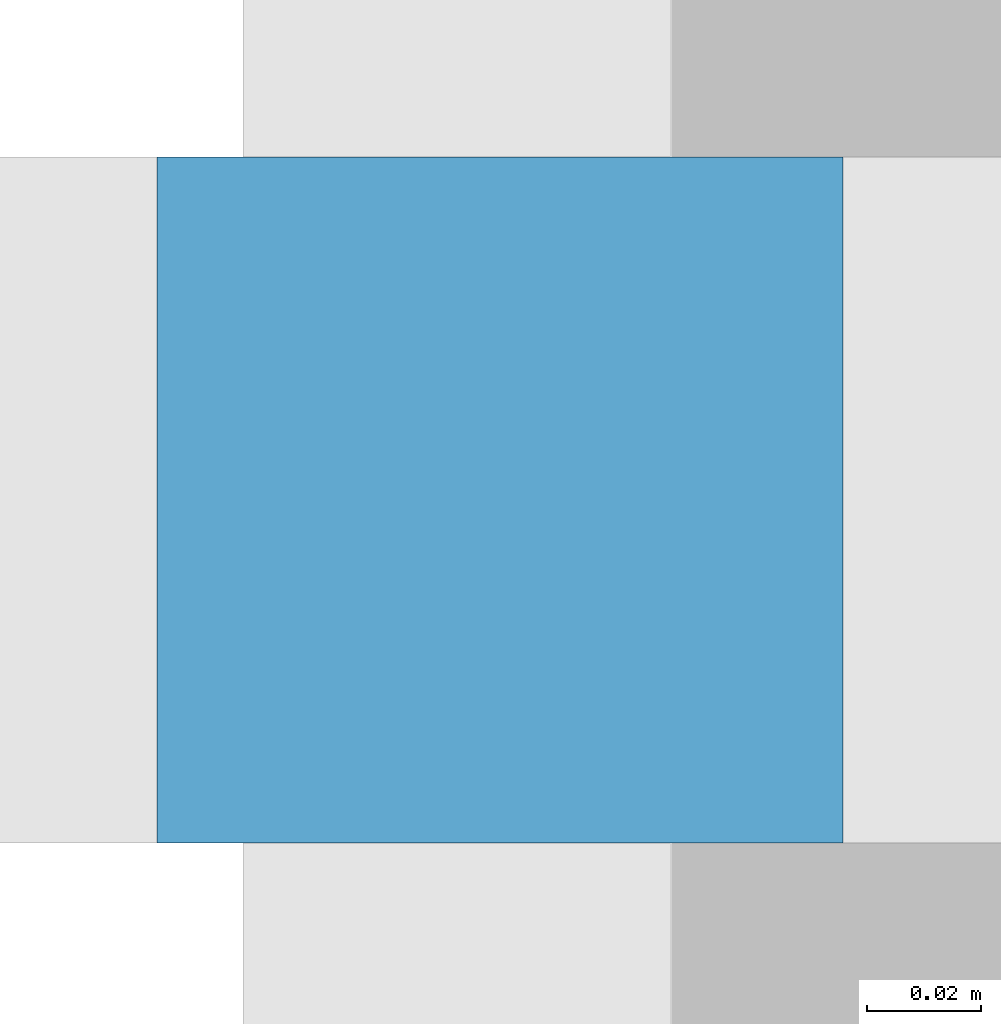
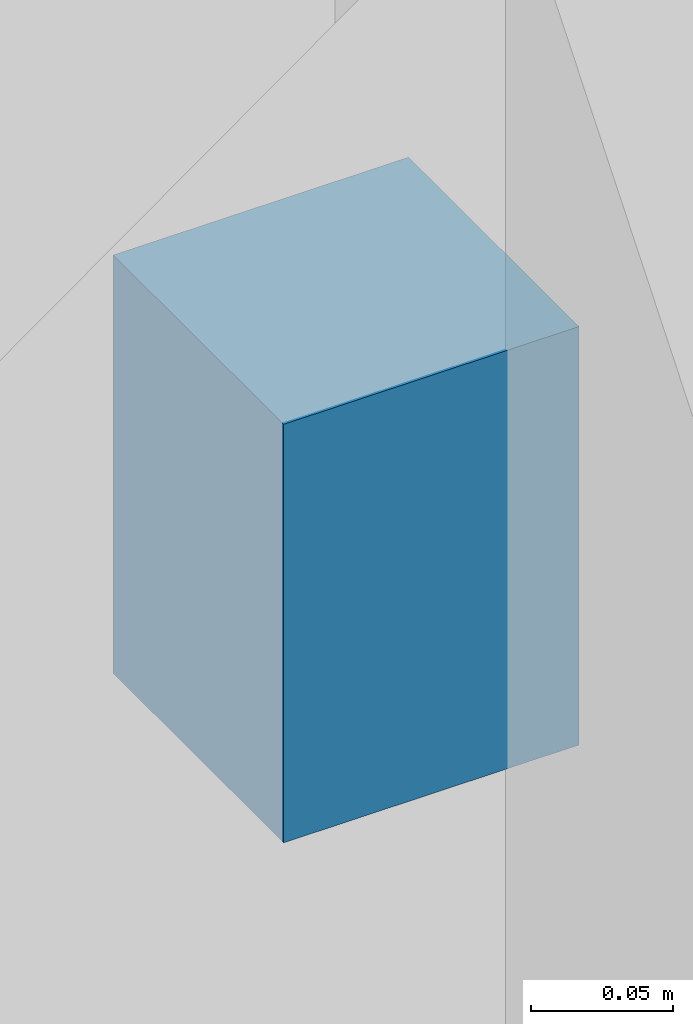
# One storey, part 41 of 54: 1 discrete accessory.
"""IFC4 building model written with IfcOpenShell, lengths in metres."""

import ifcopenshell
import ifcopenshell.guid

model = None  # the IFC model being written
_history = None  # IfcOwnerHistory: only IFC2X3 demands one
_inside = {}  # id of a spatial element -> (the spatial element, [elements in it])
_under = {}  # id of a project, library or spatial element -> (it, [spatial elements below it])
_declared = {}  # id of a project -> (the project, [libraries it declares])
_typed = {}  # id of a type object -> (the type object, [elements of that type])
_made_of = {}  # id of a material, layer set ... -> (it, [elements and type objects made of it])


def new_model(schema):
    """Start an empty IFC model of exactly this schema.

    Asked for "IFC4X3", IfcOpenShell would pick the latest addendum, in which some entities
    have other attributes; the version numbers below select the first issue.
    IFC2X3 requires an IfcOwnerHistory on every rooted entity: one is made here for all.
    """
    global model, _history
    if schema == "IFC4X3":
        model = ifcopenshell.file(schema_version=(4, 3, 0, 0))
    else:
        model = ifcopenshell.file(schema=schema)
    _inside.clear()
    _under.clear()
    _declared.clear()
    _typed.clear()
    _made_of.clear()
    _history = None
    if model.schema == "IFC2X3":
        org = make("IfcOrganization", Name="unknown")
        user = make(
            "IfcPersonAndOrganization",
            ThePerson=make("IfcPerson", FamilyName="unknown"),
            TheOrganization=org,
        )
        app = make(
            "IfcApplication",
            ApplicationDeveloper=org,
            Version="unknown",
            ApplicationFullName="unknown",
            ApplicationIdentifier="unknown",
        )
        _history = make(
            "IfcOwnerHistory",
            OwningUser=user,
            OwningApplication=app,
            ChangeAction="ADDED",
            CreationDate=0,
        )
    return model


def make(cls, **values):
    """One entity of the class cls with the attributes given. An attribute that is None is left unset."""
    return model.create_entity(
        cls, **{name: value for name, value in values.items() if value is not None}
    )


def rooted(cls, **values):
    """An entity with a GlobalId (a new one), such as an element, a storey or a relation."""
    return make(cls, GlobalId=ifcopenshell.guid.new(), OwnerHistory=_history, **values)


def si_unit(unit_type, name, prefix=None):
    """IfcSIUnit, for example si_unit("LENGTHUNIT", "METRE", prefix="MILLI")."""
    return make("IfcSIUnit", UnitType=unit_type, Prefix=prefix, Name=name)


def assignment(units):
    """IfcUnitAssignment: the units of a project."""
    return None if units is None else make("IfcUnitAssignment", Units=units)


def point(xyz):
    """IfcCartesianPoint."""
    return None if xyz is None else make("IfcCartesianPoint", Coordinates=xyz)


def direction(xyz):
    """IfcDirection."""
    return None if xyz is None else make("IfcDirection", DirectionRatios=xyz)


def frame(location, z_axis=None, x_axis=None):
    """IfcAxis2Placement3D, a coordinate frame: its origin and axes. An axis left out is left unset."""
    return make(
        "IfcAxis2Placement3D",
        Location=point(location),
        Axis=direction(z_axis),
        RefDirection=direction(x_axis),
    )


def frame_2d(location, x_axis=None):
    """IfcAxis2Placement2D, a coordinate frame in the plane: its origin and x axis."""
    return make(
        "IfcAxis2Placement2D", Location=point(location), RefDirection=direction(x_axis)
    )


def origin():
    """The frame at (0, 0, 0) with its axes left unset."""
    return frame((0.0, 0.0, 0.0))


def origin_2d():
    """The frame at (0, 0) in the plane with its x axis left unset."""
    return frame_2d((0.0, 0.0))


def place(relative_to, where):
    """IfcLocalPlacement: puts the frame where relative to a parent placement (None: the world)."""
    return make(
        "IfcLocalPlacement", PlacementRelTo=relative_to, RelativePlacement=where
    )


def context(
    kind, dimensions, precision=None, world=None, true_north=None, identifier=None
):
    """IfcGeometricRepresentationContext, for example the 3D "Model" context."""
    return make(
        "IfcGeometricRepresentationContext",
        ContextIdentifier=identifier,
        ContextType=kind,
        CoordinateSpaceDimension=dimensions,
        Precision=precision,
        WorldCoordinateSystem=world,
        TrueNorth=true_north,
    )


def subcontext(parent, identifier, kind, view, scale=None):
    """IfcGeometricRepresentationSubContext, for example "Body" below "Model"."""
    return make(
        "IfcGeometricRepresentationSubContext",
        ContextIdentifier=identifier,
        ContextType=kind,
        ParentContext=parent,
        TargetScale=scale,
        TargetView=view,
    )


def project(units=None, contexts=None):
    """IfcProject with its units and contexts."""
    return rooted(
        "IfcProject",
        Name="project",
        RepresentationContexts=contexts,
        UnitsInContext=assignment(units),
    )


def spatial(cls, under=None, at=None, **own):
    """A site, building, storey or space (cls), placed at a placement, below another one or the project."""
    s = rooted(cls, ObjectPlacement=at, **own)
    if under is not None:
        _under.setdefault(under.id(), (under, []))[1].append(s)
    return s


def profile(cls, at=None, kind="AREA", **sizes):
    """A parametric profile (cls). Its sizes go by their IFC names, for example OverallWidth=200.0."""
    return make(cls, ProfileType=kind, Position=at, **sizes)


def rectangle(**sizes):
    """IfcRectangleProfileDef."""
    return profile("IfcRectangleProfileDef", **sizes)


def extrude(swept, where, along, depth):
    """IfcExtrudedAreaSolid: the profile swept, set in the frame where, extruded along a direction by depth."""
    return make(
        "IfcExtrudedAreaSolid",
        SweptArea=swept,
        Position=where,
        ExtrudedDirection=direction(along),
        Depth=depth,
    )


def shape(context_of_items, identifier, shape_type, items):
    """IfcShapeRepresentation: the items that make up one representation, for example the "Body"."""
    return make(
        "IfcShapeRepresentation",
        ContextOfItems=context_of_items,
        RepresentationIdentifier=identifier,
        RepresentationType=shape_type,
        Items=items,
    )


def material(Name=None, Category=None):
    """IfcMaterial."""
    return make("IfcMaterial", Name=Name, Category=Category)


def made_of(thing, what):
    """Note that an element or type object is made of a material, layer set ...; save() writes the relation."""
    if what is not None:
        _made_of.setdefault(what.id(), (what, []))[1].append(thing)
    return thing


def type_object(cls, material=None, **own):
    """A type object (cls), such as IfcWallType, which elements share."""
    return made_of(rooted(cls, **own), material)


def element(
    cls,
    number,
    at=None,
    inside=None,
    cuts=None,
    type_object=None,
    material=None,
    context=None,
    identifier="Body",
    shape_type=None,
    held_by="IfcProductDefinitionShape",
    body=None,
    shapes=None,
    **own,
):
    """One element of the class cls, such as IfcWall. Its Tag is "e" and its number.

    at: its placement. inside: the storey or other place that contains it. cuts: it is an
    opening in that element (IfcRelVoidsElement). A single representation is given by context,
    identifier, shape_type and body (its items); several are given by shapes. held_by: the class
    of the entity that holds the representations. save() writes the other relations.
    """
    e = rooted(cls, Tag="e%d" % number, ObjectPlacement=at, **own)
    if body is not None:
        shapes = [shape(context, identifier, shape_type, body)]
    if shapes is not None:
        e.Representation = make(held_by, Representations=shapes)
    if inside is not None:
        _inside.setdefault(inside.id(), (inside, []))[1].append(e)
    if cuts is not None:
        rooted(
            "IfcRelVoidsElement", RelatingBuildingElement=cuts, RelatedOpeningElement=e
        )
    if type_object is not None:
        _typed.setdefault(type_object.id(), (type_object, []))[1].append(e)
    return made_of(e, material)


def aggregate(whole, parts):
    """IfcRelAggregates: a whole, such as a stair, and the parts it consists of."""
    return rooted("IfcRelAggregates", RelatingObject=whole, RelatedObjects=parts)


def save(model, path):
    """Write the relations noted so far, then the file.

    IfcRelAggregates (storeys below a building ...), IfcRelContainedInSpatialStructure (elements
    in a storey), IfcRelDefinesByType, IfcRelAssociatesMaterial and IfcRelDeclares: one each for
    every whole, place, type object, material and project.
    """
    for whole, parts in _under.values():
        aggregate(whole, parts)
    for where, things in _inside.values():
        rooted(
            "IfcRelContainedInSpatialStructure",
            RelatedElements=things,
            RelatingStructure=where,
        )
    for kind, things in _typed.values():
        rooted("IfcRelDefinesByType", RelatedObjects=things, RelatingType=kind)
    for what, things in _made_of.values():
        rooted("IfcRelAssociatesMaterial", RelatedObjects=things, RelatingMaterial=what)
    for by, libraries in _declared.values():
        rooted("IfcRelDeclares", RelatingContext=by, RelatedDefinitions=libraries)
    model.write(path)


model = new_model("IFC4")

# Units and contexts
model_context = context("Model", 3, precision=1e-05, world=origin(), true_north=direction((0.0, 1.0)))
body_context = subcontext(model_context, "Body", "Model", "MODEL_VIEW")
ifc_project = project(units=[si_unit("LENGTHUNIT", "METRE"), si_unit("AREAUNIT", "SQUARE_METRE"), si_unit("VOLUMEUNIT", "CUBIC_METRE"), si_unit("PLANEANGLEUNIT", "RADIAN"), si_unit("MASSUNIT", "GRAM", prefix="KILO")], contexts=[model_context])

# Site, building, storey
site_placement = place(None, origin())
site = spatial("IfcSite", under=ifc_project, at=site_placement, CompositionType="ELEMENT")
building_placement = place(site_placement, origin())
building = spatial("IfcBuilding", under=site, at=building_placement, Name="Sundgate Opera House", CompositionType="ELEMENT")
storey_placement = place(building_placement, frame((0.0, 0.0, 16.800048828125)))
storey = spatial("IfcBuildingStorey", under=building, at=storey_placement, Name="L03", CompositionType="ELEMENT", Elevation=16.800048828125)

# Discrete accessory
ifc_material = material(Name="Stainless steel EN 1.4404 bracket", Category="steel")
discrete_accessory_type = type_object("IfcDiscreteAccessoryType", Name="AC-BRACKET-SS", PredefinedType="BRACKET", material=ifc_material)
discrete_accessory_placement = place(storey_placement, frame((26.75, 64.5, 1.91015625), z_axis=(0.0, 0.0, 1.0), x_axis=(1.0, 0.0, 0.0)))
element("IfcDiscreteAccessory", 1, at=discrete_accessory_placement, inside=storey, type_object=discrete_accessory_type, Name="L03 Brise-Soleil Anchor Bracket BR0015", PredefinedType="BRACKET", context=body_context, shape_type="SweptSolid", body=[
    extrude(rectangle(XDim=0.1201171875, YDim=0.1201171875, at=origin_2d()), origin(), (0.0, 0.0, 1.0), 0.179931640625),
])

save(model, "model.ifc")
